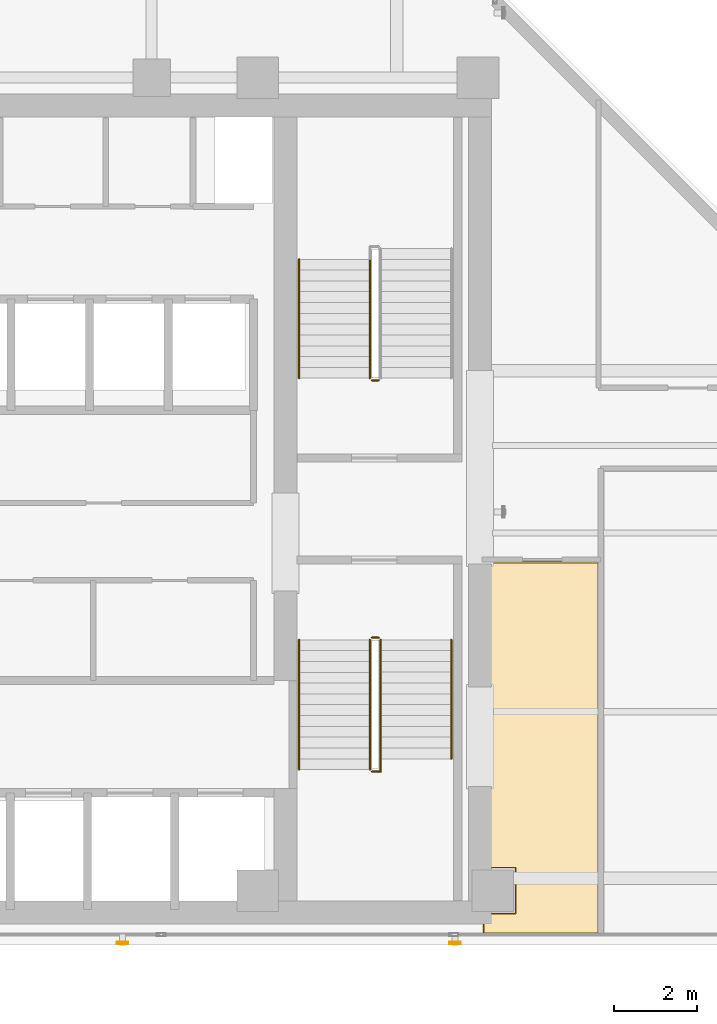
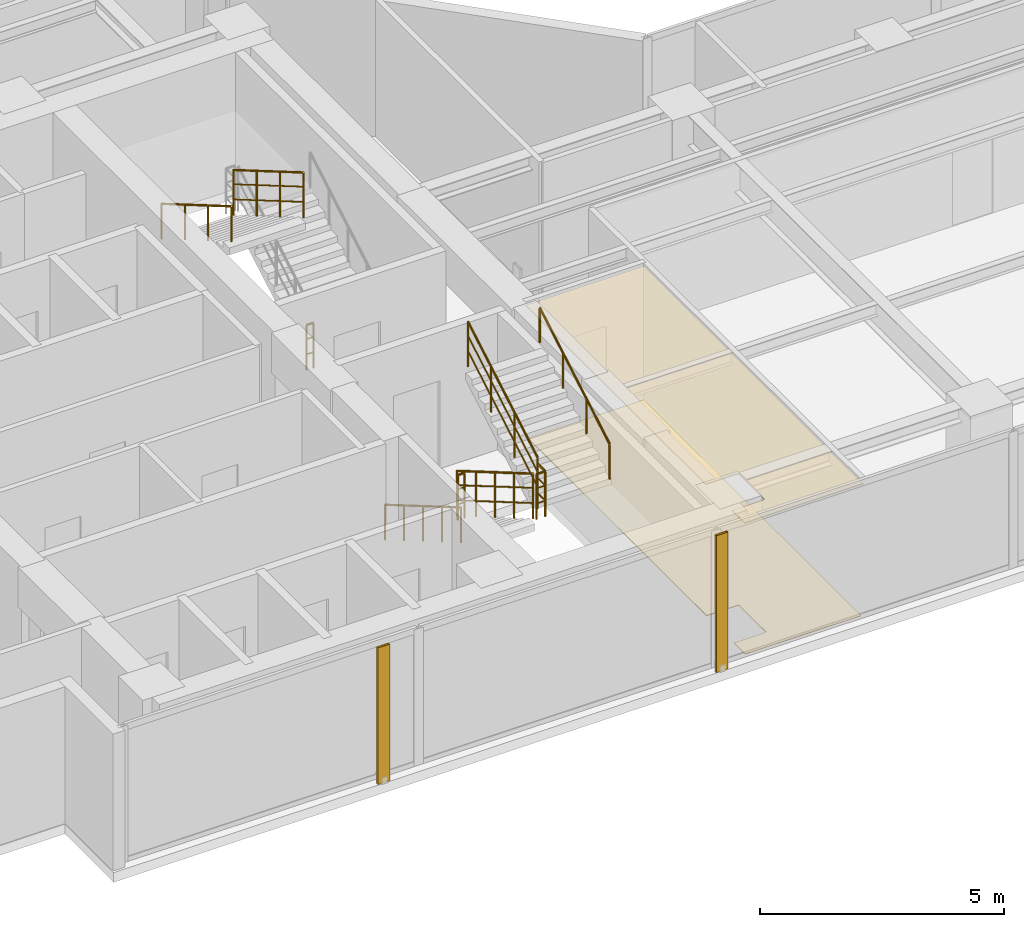
# One storey, part 20 of 24: 9 railings, 2 coverings, 2 shading devices.
"""IFC4 building model written with IfcOpenShell, lengths in metres."""

from ifc_helpers import new_model, si_unit, direction, frame, origin, origin_2d, place, context, subcontext, project, spatial, polyline, hollow_rectangle, circle, outline, extrude, material, layer, layer_set, material_profile, profile_set, type_object, element, save


model = new_model("IFC4")

# Units and contexts
model_context = context("Model", 3, precision=1e-05, world=origin(), true_north=direction((0.0, 1.0)))
body_context = subcontext(model_context, "Body", "Model", "MODEL_VIEW")
ifc_project = project(units=[si_unit("LENGTHUNIT", "METRE"), si_unit("AREAUNIT", "SQUARE_METRE"), si_unit("VOLUMEUNIT", "CUBIC_METRE"), si_unit("PLANEANGLEUNIT", "RADIAN"), si_unit("MASSUNIT", "GRAM", prefix="KILO")], contexts=[model_context])

# Site, building, storey
site_placement = place(None, origin())
site = spatial("IfcSite", under=ifc_project, at=site_placement, CompositionType="ELEMENT")
building_placement = place(site_placement, origin())
building = spatial("IfcBuilding", under=site, at=building_placement, Name="Kolvaren Waterfront Exchange", CompositionType="ELEMENT")
storey_placement = place(building_placement, frame((0.0, 0.0, 253.89990234375)))
storey = spatial("IfcBuildingStorey", under=building, at=storey_placement, Name="L65", CompositionType="ELEMENT", Elevation=253.89990234375)

# Covering
ifc_material_1 = material(Name="Mineral fibre acoustic ceiling tile")
ifc_layer_1 = layer(ifc_material_1, 0.02490234375, Name="Mineral fibre acoustic ceiling tile")
ifc_layer_set_1 = layer_set([ifc_layer_1], Name="Mineral fibre acoustic ceiling tile")
covering_type_1 = type_object("IfcCoveringType", Name="ARC-CEIL-ACOUSTIC-25", PredefinedType="CEILING", material=ifc_layer_set_1)
covering_1_placement = place(storey_placement, frame((0.0, 0.0, 3.30517578125)))
element("IfcCovering", 1, at=covering_1_placement, inside=storey, type_object=covering_type_1, Name="L65 acoustic suspended ceiling 2", PredefinedType="CEILING", context=body_context, shape_type="SweptSolid", body=[
    extrude(outline(polyline([(20.864990234375, 5.43994140625), (21.639892578125, 5.43994140625), (21.639892578125, 4.360107421875), (20.864990234375, 4.360107421875), (20.864990234375, 3.844970703125), (23.675048828125, 3.844970703125), (23.675048828125, 12.81494140625), (20.864990234375, 12.81494140625), (20.864990234375, 5.43994140625)])), origin(), (0.0, 0.0, 1.0), 0.02490234375),
])

# Shading devices
ifc_material_2 = material(Name="Anodised bronze aluminium 6063-T6", Category="aluminium")
ifc_material_profile = material_profile(ifc_material_2, hollow_rectangle(XDim=0.054931640625, YDim=0.280029296875, WallThickness=0.00439453125, at=origin_2d()), Name="BRZ-FIN-280x55x4.5")
ifc_profile_set = profile_set([ifc_material_profile], Name="Anodised bronze aluminium 6063-T6")
shading_device_type = type_object("IfcShadingDeviceType", Name="ARC-FIN-280", PredefinedType="USERDEFINED", material=ifc_profile_set)
for number, where, z_axis, x_axis, name in (
    (2, (12.199951171875, 3.639892578125, 0.0), (0.0, 0.0, 1.0), (0.0, -1.0, 0.0), "L65 anodised bronze solar shading fin FIN-L65-S1"),
    (3, (20.199951171875, 3.639892578125, 0.0), (0.0, 0.0, 1.0), (0.0, -1.0, 0.0), "L65 anodised bronze solar shading fin FIN-L65-S2"),
):
    element("IfcShadingDevice", number, at=place(storey_placement, frame(where, z_axis=z_axis, x_axis=x_axis)), inside=storey, type_object=shading_device_type, Name=name, ObjectType="SOLAR FIN", PredefinedType="USERDEFINED", context=body_context, shape_type="SweptSolid", body=[
        extrude(hollow_rectangle(XDim=0.054931640625, YDim=0.280029296875, WallThickness=0.00439453125, at=origin_2d()), origin(), (0.0, 0.0, 1.0), 3.420166015625),
    ])

# Covering
ifc_material_3 = material(Name="Slip-resistant porcelain tile")
ifc_layer_2 = layer(ifc_material_3, 0.014892578125, Name="Slip-resistant porcelain tile")
ifc_layer_set_2 = layer_set([ifc_layer_2], Name="Slip-resistant porcelain tile")
covering_type_2 = type_object("IfcCoveringType", Name="ARC-FLR-PORC-15", PredefinedType="FLOORING", material=ifc_layer_set_2)
covering_2_placement = place(storey_placement, origin())
element("IfcCovering", 4, at=covering_2_placement, inside=storey, type_object=covering_type_2, Name="L65 floor finish 2", PredefinedType="FLOORING", context=body_context, shape_type="SweptSolid", body=[
    extrude(outline(polyline([(20.89990234375, 4.340087890625), (20.89990234375, 3.8798828125), (23.639892578125, 3.8798828125), (23.639892578125, 12.780029296875), (20.89990234375, 12.780029296875), (20.89990234375, 5.4599609375), (21.659912109375, 5.4599609375), (21.659912109375, 4.340087890625), (20.89990234375, 4.340087890625)])), origin(), (0.0, 0.0, 1.0), 0.01513671875),
])

# Railings
ifc_material_4 = material(Name="Stainless steel 316", Category="steel")
railing_type_1 = type_object("IfcRailingType", Name="ARC-GUARD-STAIR", PredefinedType="GUARDRAIL", material=ifc_material_4)
railing_1_placement = place(storey_placement, frame((18.14990234375, 10.929931640625, 0.152099609375)))
element("IfcRailing", 5, at=railing_1_placement, inside=storey, type_object=railing_type_1, Name="L65 ST1 stair guard 1", PredefinedType="GUARDRAIL", context=body_context, shape_type="SweptSolid", body=[
    extrude(circle(Radius=0.02392578125, at=origin_2d()), frame((0.0, 0.0, 1.1259765625), z_axis=(0.0, -0.86329090724, 0.504706656858), x_axis=(1.0, 0.0, 0.0)), (0.0, 0.0, 1.0), 3.614013671875),
    extrude(circle(Radius=0.01611328125, at=origin_2d()), frame((0.0, 0.0, 0.390869140625), z_axis=(0.0, -0.86329090724, 0.504706656858), x_axis=(1.0, 0.0, 0.0)), (0.0, 0.0, 1.0), 3.614013671875),
    extrude(circle(Radius=0.01611328125, at=origin_2d()), frame((0.0, 0.0, 0.7705078125), z_axis=(0.0, -0.86329090724, 0.504706656858), x_axis=(1.0, 0.0, 0.0)), (0.0, 0.0, 1.0), 3.614013671875),
    extrude(circle(Radius=0.02099609375, at=origin_2d()), origin(), (0.0, 0.0, 1.0), 1.101806640625),
    extrude(circle(Radius=0.02099609375, at=origin_2d()), frame((0.0, -0.780029296875, 0.4560546875)), (0.0, 0.0, 1.0), 1.101806640625),
    extrude(circle(Radius=0.02099609375, at=origin_2d()), frame((0.0, -1.56005859375, 0.912109375)), (0.0, 0.0, 1.0), 1.101806640625),
    extrude(circle(Radius=0.02099609375, at=origin_2d()), frame((0.0, -2.33984375, 1.367919921875)), (0.0, 0.0, 1.0), 1.101806640625),
    extrude(circle(Radius=0.02099609375, at=origin_2d()), frame((0.0, -3.119873046875, 1.823974609375)), (0.0, 0.0, 1.0), 1.101806640625),
])
railing_2_placement = place(storey_placement, frame((18.199951171875, 7.760009765625, 1.97607421875)))
element("IfcRailing", 6, at=railing_2_placement, inside=storey, type_object=railing_type_1, Name="L65 ST1 stair guard 2", PredefinedType="GUARDRAIL", context=body_context, shape_type="SweptSolid", body=[
    extrude(circle(Radius=0.02392578125, at=origin_2d()), frame((0.0, 0.0, 1.1259765625), z_axis=(1.0, 0.0, 0.0), x_axis=(0.0, 1.0, 0.0)), (0.0, 0.0, 1.0), 0.2099609375),
    extrude(circle(Radius=0.01611328125, at=origin_2d()), frame((0.0, 0.0, 0.390869140625), z_axis=(1.0, 0.0, 0.0), x_axis=(0.0, 1.0, 0.0)), (0.0, 0.0, 1.0), 0.2099609375),
    extrude(circle(Radius=0.01611328125, at=origin_2d()), frame((0.0, 0.0, 0.7705078125), z_axis=(1.0, 0.0, 0.0), x_axis=(0.0, 1.0, 0.0)), (0.0, 0.0, 1.0), 0.2099609375),
    extrude(circle(Radius=0.02392578125, at=origin_2d()), frame((0.2099609375, 0.0, 1.1259765625), z_axis=(0.0, 1.0, 0.0), x_axis=(-1.0, 0.0, 0.0)), (0.0, 0.0, 1.0), 0.31005859375),
    extrude(circle(Radius=0.01611328125, at=origin_2d()), frame((0.2099609375, 0.0, 0.390869140625), z_axis=(0.0, 1.0, 0.0), x_axis=(-1.0, 0.0, 0.0)), (0.0, 0.0, 1.0), 0.31005859375),
    extrude(circle(Radius=0.01611328125, at=origin_2d()), frame((0.2099609375, 0.0, 0.7705078125), z_axis=(0.0, 1.0, 0.0), x_axis=(-1.0, 0.0, 0.0)), (0.0, 0.0, 1.0), 0.31005859375),
    extrude(circle(Radius=0.02099609375, at=origin_2d()), origin(), (0.0, 0.0, 1.0), 1.101806640625),
    extrude(circle(Radius=0.02099609375, at=origin_2d()), frame((0.2099609375, 0.0, 0.0)), (0.0, 0.0, 1.0), 1.101806640625),
    extrude(circle(Radius=0.02099609375, at=origin_2d()), frame((0.2099609375, 0.31005859375, 0.0)), (0.0, 0.0, 1.0), 1.101806640625),
])
railing_3_placement = place(storey_placement, frame((18.409912109375, 8.070068359375, 2.128173828125)))
element("IfcRailing", 7, at=railing_3_placement, inside=storey, type_object=railing_type_1, Name="L65 ST1 stair guard 3", PredefinedType="GUARDRAIL", context=body_context, shape_type="SweptSolid", body=[
    extrude(circle(Radius=0.02392578125, at=origin_2d()), frame((0.0, 0.0, 1.1259765625), z_axis=(0.0, 0.86330272217, 0.504686447108), x_axis=(-1.0, 0.0, 0.0)), (0.0, 0.0, 1.0), 3.312744140625),
    extrude(circle(Radius=0.01611328125, at=origin_2d()), frame((0.0, 0.0, 0.390869140625), z_axis=(0.0, 0.86330272217, 0.504686447108), x_axis=(-1.0, 0.0, 0.0)), (0.0, 0.0, 1.0), 3.312744140625),
    extrude(circle(Radius=0.01611328125, at=origin_2d()), frame((0.0, 0.0, 0.7705078125), z_axis=(0.0, 0.86330272217, 0.504686447108), x_axis=(-1.0, 0.0, 0.0)), (0.0, 0.0, 1.0), 3.312744140625),
    extrude(circle(Radius=0.02099609375, at=origin_2d()), origin(), (0.0, 0.0, 1.0), 1.101806640625),
    extrude(circle(Radius=0.02099609375, at=origin_2d()), frame((0.0, 0.953369140625, 0.557373046875)), (0.0, 0.0, 1.0), 1.101806640625),
    extrude(circle(Radius=0.02099609375, at=origin_2d()), frame((0.0, 1.906494140625, 1.114501953125)), (0.0, 0.0, 1.0), 1.101806640625),
    extrude(circle(Radius=0.02099609375, at=origin_2d()), frame((0.0, 2.85986328125, 1.671875)), (0.0, 0.0, 1.0), 1.101806640625),
])
railing_4_placement = place(storey_placement, frame((18.199951171875, 10.97998046875, 0.0)))
element("IfcRailing", 8, at=railing_4_placement, inside=storey, type_object=railing_type_1, Name="L65 ST1 stair guard 4", PredefinedType="GUARDRAIL", context=body_context, shape_type="SweptSolid", body=[
    extrude(circle(Radius=0.02392578125, at=origin_2d()), frame((0.0, 0.0, 1.1259765625), z_axis=(1.0, 0.0, 0.0), x_axis=(0.0, 1.0, 0.0)), (0.0, 0.0, 1.0), 0.16015625),
    extrude(circle(Radius=0.01611328125, at=origin_2d()), frame((0.0, 0.0, 0.390869140625), z_axis=(1.0, 0.0, 0.0), x_axis=(0.0, 1.0, 0.0)), (0.0, 0.0, 1.0), 0.16015625),
    extrude(circle(Radius=0.01611328125, at=origin_2d()), frame((0.0, 0.0, 0.7705078125), z_axis=(1.0, 0.0, 0.0), x_axis=(0.0, 1.0, 0.0)), (0.0, 0.0, 1.0), 0.16015625),
    extrude(circle(Radius=0.02099609375, at=origin_2d()), origin(), (0.0, 0.0, 1.0), 1.101806640625),
    extrude(circle(Radius=0.02099609375, at=origin_2d()), frame((0.16015625, 0.0, 0.0)), (0.0, 0.0, 1.0), 1.101806640625),
])
railing_5_placement = place(storey_placement, frame((18.14990234375, 20.080078125, 2.128173828125)))
element("IfcRailing", 9, at=railing_5_placement, inside=storey, type_object=railing_type_1, Name="L65 ST2 stair guard 3", PredefinedType="GUARDRAIL", context=body_context, shape_type="SweptSolid", body=[
    extrude(circle(Radius=0.02392578125, at=origin_2d()), frame((0.0, 0.0, 1.1259765625), z_axis=(0.0, -0.863321491973, 0.504654338629), x_axis=(1.0, 0.0, 0.0)), (0.0, 0.0, 1.0), 3.31298828125),
    extrude(circle(Radius=0.01611328125, at=origin_2d()), frame((0.0, 0.0, 0.390869140625), z_axis=(0.0, -0.863321491973, 0.504654338629), x_axis=(1.0, 0.0, 0.0)), (0.0, 0.0, 1.0), 3.31298828125),
    extrude(circle(Radius=0.01611328125, at=origin_2d()), frame((0.0, 0.0, 0.7705078125), z_axis=(0.0, -0.863321491973, 0.504654338629), x_axis=(1.0, 0.0, 0.0)), (0.0, 0.0, 1.0), 3.31298828125),
    extrude(circle(Radius=0.02099609375, at=origin_2d()), origin(), (0.0, 0.0, 1.0), 1.101806640625),
    extrude(circle(Radius=0.02099609375, at=origin_2d()), frame((0.0, -0.953369140625, 0.557373046875)), (0.0, 0.0, 1.0), 1.101806640625),
    extrude(circle(Radius=0.02099609375, at=origin_2d()), frame((0.0, -1.90673828125, 1.114501953125)), (0.0, 0.0, 1.0), 1.101806640625),
    extrude(circle(Radius=0.02099609375, at=origin_2d()), frame((0.0, -2.860107421875, 1.671875)), (0.0, 0.0, 1.0), 1.101806640625),
])
railing_6_placement = place(storey_placement, frame((18.360107421875, 17.169921875, 0.0)))
element("IfcRailing", 10, at=railing_6_placement, inside=storey, type_object=railing_type_1, Name="L65 ST2 stair guard 4", PredefinedType="GUARDRAIL", context=body_context, shape_type="SweptSolid", body=[
    extrude(circle(Radius=0.02392578125, at=origin_2d()), frame((0.0, 0.0, 1.1259765625), z_axis=(-1.0, 0.0, 0.0), x_axis=(0.0, -1.0, 0.0)), (0.0, 0.0, 1.0), 0.16015625),
    extrude(circle(Radius=0.01611328125, at=origin_2d()), frame((0.0, 0.0, 0.390869140625), z_axis=(-1.0, 0.0, 0.0), x_axis=(0.0, -1.0, 0.0)), (0.0, 0.0, 1.0), 0.16015625),
    extrude(circle(Radius=0.01611328125, at=origin_2d()), frame((0.0, 0.0, 0.7705078125), z_axis=(-1.0, 0.0, 0.0), x_axis=(0.0, -1.0, 0.0)), (0.0, 0.0, 1.0), 0.16015625),
    extrude(circle(Radius=0.02099609375, at=origin_2d()), origin(), (0.0, 0.0, 1.0), 1.101806640625),
    extrude(circle(Radius=0.02099609375, at=origin_2d()), frame((-0.16015625, 0.0, 0.0)), (0.0, 0.0, 1.0), 1.101806640625),
])
railing_type_2 = type_object("IfcRailingType", Name="ARC-HANDRAIL-900", PredefinedType="HANDRAIL", material=ifc_material_4)
railing_7_placement = place(storey_placement, frame((16.449951171875, 10.929931640625, 0.152099609375)))
element("IfcRailing", 11, at=railing_7_placement, inside=storey, type_object=railing_type_2, Name="L65 ST1 stair handrail 1", PredefinedType="HANDRAIL", context=body_context, shape_type="SweptSolid", body=[
    extrude(circle(Radius=0.02392578125, at=origin_2d()), frame((0.0, 0.0, 0.8759765625), z_axis=(0.0, -0.86329090724, 0.504706656858), x_axis=(1.0, 0.0, 0.0)), (0.0, 0.0, 1.0), 3.614013671875),
    extrude(circle(Radius=0.02099609375, at=origin_2d()), origin(), (0.0, 0.0, 1.0), 0.851806640625),
    extrude(circle(Radius=0.02099609375, at=origin_2d()), frame((0.0, -0.780029296875, 0.4560546875)), (0.0, 0.0, 1.0), 0.851806640625),
    extrude(circle(Radius=0.02099609375, at=origin_2d()), frame((0.0, -1.56005859375, 0.912109375)), (0.0, 0.0, 1.0), 0.851806640625),
    extrude(circle(Radius=0.02099609375, at=origin_2d()), frame((0.0, -2.33984375, 1.367919921875)), (0.0, 0.0, 1.0), 0.851806640625),
    extrude(circle(Radius=0.02099609375, at=origin_2d()), frame((0.0, -3.119873046875, 1.823974609375)), (0.0, 0.0, 1.0), 0.851806640625),
])
railing_8_placement = place(storey_placement, frame((20.110107421875, 8.070068359375, 2.128173828125)))
element("IfcRailing", 12, at=railing_8_placement, inside=storey, type_object=railing_type_2, Name="L65 ST1 stair handrail 2", PredefinedType="HANDRAIL", context=body_context, shape_type="SweptSolid", body=[
    extrude(circle(Radius=0.02392578125, at=origin_2d()), frame((0.0, 0.0, 0.8759765625), z_axis=(0.0, 0.86330272217, 0.504686447108), x_axis=(-1.0, 0.0, 0.0)), (0.0, 0.0, 1.0), 3.312744140625),
    extrude(circle(Radius=0.02099609375, at=origin_2d()), origin(), (0.0, 0.0, 1.0), 0.851806640625),
    extrude(circle(Radius=0.02099609375, at=origin_2d()), frame((0.0, 0.953369140625, 0.557373046875)), (0.0, 0.0, 1.0), 0.851806640625),
    extrude(circle(Radius=0.02099609375, at=origin_2d()), frame((0.0, 1.906494140625, 1.114501953125)), (0.0, 0.0, 1.0), 0.851806640625),
    extrude(circle(Radius=0.02099609375, at=origin_2d()), frame((0.0, 2.85986328125, 1.671875)), (0.0, 0.0, 1.0), 0.851806640625),
])
railing_9_placement = place(storey_placement, frame((16.449951171875, 20.080078125, 2.128173828125)))
element("IfcRailing", 13, at=railing_9_placement, inside=storey, type_object=railing_type_2, Name="L65 ST2 stair handrail 2", PredefinedType="HANDRAIL", context=body_context, shape_type="SweptSolid", body=[
    extrude(circle(Radius=0.02392578125, at=origin_2d()), frame((0.0, 0.0, 0.8759765625), z_axis=(0.0, -0.863321491973, 0.504654338629), x_axis=(1.0, 0.0, 0.0)), (0.0, 0.0, 1.0), 3.31298828125),
    extrude(circle(Radius=0.02099609375, at=origin_2d()), origin(), (0.0, 0.0, 1.0), 0.851806640625),
    extrude(circle(Radius=0.02099609375, at=origin_2d()), frame((0.0, -0.953369140625, 0.557373046875)), (0.0, 0.0, 1.0), 0.851806640625),
    extrude(circle(Radius=0.02099609375, at=origin_2d()), frame((0.0, -1.90673828125, 1.114501953125)), (0.0, 0.0, 1.0), 0.851806640625),
    extrude(circle(Radius=0.02099609375, at=origin_2d()), frame((0.0, -2.860107421875, 1.671875)), (0.0, 0.0, 1.0), 0.851806640625),
])

save(model, "model.ifc")
